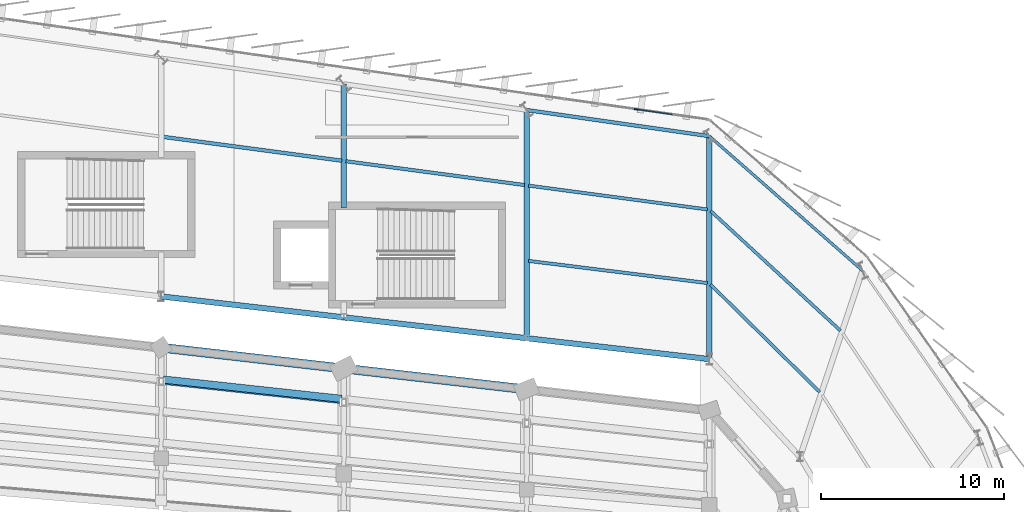
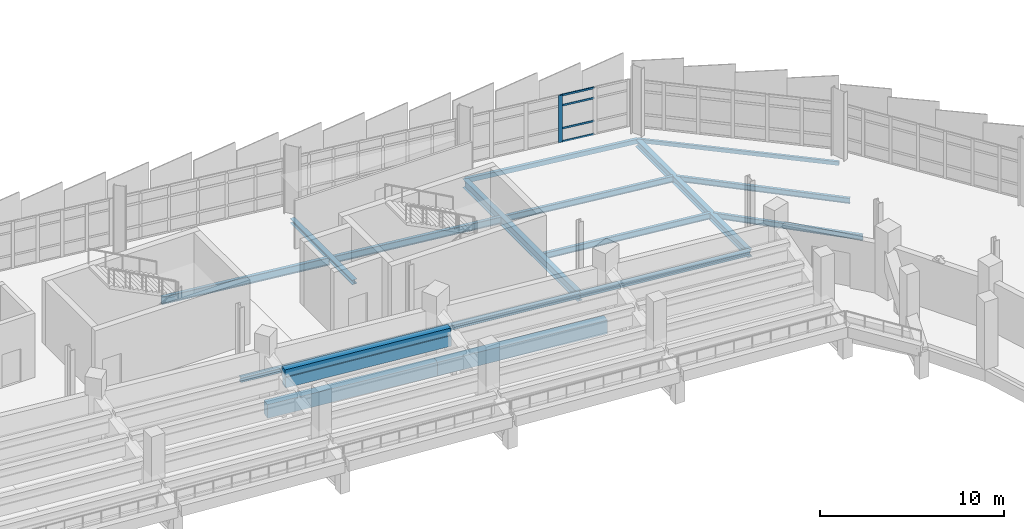
# One storey, part 69 of 120: 18 beams, 5 members, 1 element without a shape of its own.
"""IFC4 building model written with IfcOpenShell, lengths in metres."""

from ifc_helpers import new_model, si_unit, direction, frame, origin, origin_2d, place, context, subcontext, project, spatial, rectangle, hollow_rectangle, i_section, extrude, material, layer, layer_set, material_profile, profile_set, type_object, element, aggregate, save


model = new_model("IFC4")

# Units and contexts
model_context = context("Model", 3, precision=1e-05, world=origin(), true_north=direction((0.0, 1.0)))
body_context = subcontext(model_context, "Body", "Model", "MODEL_VIEW")
ifc_project = project(units=[si_unit("LENGTHUNIT", "METRE"), si_unit("AREAUNIT", "SQUARE_METRE"), si_unit("VOLUMEUNIT", "CUBIC_METRE"), si_unit("PLANEANGLEUNIT", "RADIAN"), si_unit("MASSUNIT", "GRAM", prefix="KILO")], contexts=[model_context])

# Site, building, storey
site_placement = place(None, origin())
site = spatial("IfcSite", under=ifc_project, at=site_placement, CompositionType="ELEMENT")
building_placement = place(site_placement, origin())
building = spatial("IfcBuilding", under=site, at=building_placement, Name="Sohan Crest Arena", CompositionType="ELEMENT")
storey_placement = place(building_placement, frame((0.0, 0.0, 13.5)))
storey = spatial("IfcBuildingStorey", under=building, at=storey_placement, Name="L03", CompositionType="ELEMENT", Elevation=13.5)

# Curtain wall, members
ifc_material_1 = material(Name="Thermally broken anodised aluminium", Category="aluminium")
ifc_layer = layer(ifc_material_1, 0.239990234375, Name="Thermally broken anodised aluminium")
ifc_layer_set = layer_set([ifc_layer], Name="Thermally broken anodised aluminium")
curtain_wall_type = type_object("IfcCurtainWallType", Name="ARC-CW04", PredefinedType="NOTDEFINED", material=ifc_layer_set)
curtain_wall_placement = place(storey_placement, origin())
curtain_wall = element("IfcCurtainWall", 1, at=curtain_wall_placement, inside=storey, type_object=curtain_wall_type, Name="Unitised curtain wall CW-105", PredefinedType="NOTDEFINED")
ifc_material_profile_1 = material_profile(ifc_material_1, rectangle(XDim=0.074951171875, YDim=0.219970703125, at=origin_2d()), Name="ALU-MULL 75x220")
ifc_profile_set_1 = profile_set([ifc_material_profile_1], Name="Thermally broken anodised aluminium")
member_type_1 = type_object("IfcMemberType", Name="ARC-CW-ML04", PredefinedType="MULLION", material=ifc_profile_set_1)
member_1_placement = place(storey_placement, frame((164.0, 117.4716796875, 0.0), z_axis=(0.0, 0.0, 1.0), x_axis=(-0.141462933734, -0.989943553128, 0.0)))
member_1 = element("IfcMember", 2, at=member_1_placement, type_object=member_type_1, Name="CW-105 mullion 3", PredefinedType="MULLION", context=body_context, shape_type="SweptSolid", body=[
    extrude(rectangle(XDim=0.074951171875, YDim=0.219970703125, at=origin_2d()), origin(), (0.0, 0.0, 1.0), 3.1201171875),
])
ifc_material_profile_2 = material_profile(ifc_material_1, rectangle(XDim=0.06005859375, YDim=0.1201171875, at=origin_2d()), Name="ALU-TRAN 60x120")
ifc_profile_set_2 = profile_set([ifc_material_profile_2], Name="Thermally broken anodised aluminium")
member_type_2 = type_object("IfcMemberType", Name="ARC-CW-TR01", PredefinedType="USERDEFINED", material=ifc_profile_set_2)
member_2_placement = place(storey_placement, frame((165.962890625, 117.191162109375, 0.030029296875), z_axis=(-0.989946983498, 0.141438926268, 0.0), x_axis=(-0.141438926268, -0.989946983498, 0.0)))
member_2 = element("IfcMember", 3, at=member_2_placement, type_object=member_type_2, Name="CW-105 transom 2.1", ObjectType="TRANSOM", PredefinedType="USERDEFINED", context=body_context, shape_type="SweptSolid", body=[
    extrude(rectangle(XDim=0.06005859375, YDim=0.1201171875, at=origin_2d()), origin(), (0.0, 0.0, 1.0), 1.9453125),
])
member_3_placement = place(storey_placement, frame((165.962890625, 117.191162109375, 0.89990234375), z_axis=(-0.989946983498, 0.141438926268, 0.0), x_axis=(-0.141438926268, -0.989946983498, 0.0)))
member_3 = element("IfcMember", 4, at=member_3_placement, type_object=member_type_2, Name="CW-105 transom 2.2", ObjectType="TRANSOM", PredefinedType="USERDEFINED", context=body_context, shape_type="SweptSolid", body=[
    extrude(rectangle(XDim=0.06005859375, YDim=0.1201171875, at=origin_2d()), origin(), (0.0, 0.0, 1.0), 1.9453125),
])
member_4_placement = place(storey_placement, frame((165.962890625, 117.191162109375, 2.419921875), z_axis=(-0.989946983498, 0.141438926268, 0.0), x_axis=(-0.141438926268, -0.989946983498, 0.0)))
member_4 = element("IfcMember", 5, at=member_4_placement, type_object=member_type_2, Name="CW-105 transom 2.3", ObjectType="TRANSOM", PredefinedType="USERDEFINED", context=body_context, shape_type="SweptSolid", body=[
    extrude(rectangle(XDim=0.06005859375, YDim=0.1201171875, at=origin_2d()), origin(), (0.0, 0.0, 1.0), 1.9453125),
])
member_5_placement = place(storey_placement, frame((165.962890625, 117.191162109375, 3.090087890625), z_axis=(-0.989946983498, 0.141438926268, 0.0), x_axis=(-0.141438926268, -0.989946983498, 0.0)))
member_5 = element("IfcMember", 6, at=member_5_placement, type_object=member_type_2, Name="CW-105 transom 2.4", ObjectType="TRANSOM", PredefinedType="USERDEFINED", context=body_context, shape_type="SweptSolid", body=[
    extrude(rectangle(XDim=0.06005859375, YDim=0.1201171875, at=origin_2d()), origin(), (0.0, 0.0, 1.0), 1.9453125),
])
aggregate(curtain_wall, [member_1, member_2, member_3, member_4, member_5])

# Beams
ifc_material_2 = material(Name="Steel S355", Category="steel")
ifc_material_profile_3 = material_profile(ifc_material_2, i_section(OverallWidth=0.169921875, OverallDepth=0.360107421875, WebThickness=0.008056640625, FlangeThickness=0.0126953125, at=origin_2d()), Name="IPE 360")
ifc_profile_set_3 = profile_set([ifc_material_profile_3], Name="Steel S355")
beam_type_1 = type_object("IfcBeamType", Name="STR-BM-B02", PredefinedType="JOIST", material=ifc_profile_set_3)
beam_1_placement = place(storey_placement, frame((174.0458984375, 101.9951171875, -0.429931640625), z_axis=(-0.712580271708, 0.701590590283, 0.0), x_axis=(-0.701590590283, -0.712580271708, 0.0)))
element("IfcBeam", 7, at=beam_1_placement, inside=storey, type_object=beam_type_1, Name="Structural beam J-L03-1518", PredefinedType="JOIST", context=body_context, shape_type="SweptSolid", body=[
    extrude(i_section(OverallWidth=0.169921875, OverallDepth=0.360107421875, WebThickness=0.008056640625, FlangeThickness=0.0126953125, at=origin_2d()), origin(), (0.0, 0.0, 1.0), 8.375244140625),
])
beam_2_placement = place(storey_placement, frame((175.173095703125, 105.35693359375, -0.429931640625), z_axis=(-0.735036224245, 0.678027837959, 0.0), x_axis=(-0.678027837959, -0.735036224245, 0.0)))
element("IfcBeam", 8, at=beam_2_placement, inside=storey, type_object=beam_type_1, Name="Structural beam J-L03-1519", PredefinedType="JOIST", context=body_context, shape_type="SweptSolid", body=[
    extrude(i_section(OverallWidth=0.169921875, OverallDepth=0.360107421875, WebThickness=0.008056640625, FlangeThickness=0.0126953125, at=origin_2d()), origin(), (0.0, 0.0, 1.0), 9.648681640625),
])
ifc_material_profile_4 = material_profile(ifc_material_2, i_section(OverallWidth=0.179931640625, OverallDepth=0.39990234375, WebThickness=0.008544921875, FlangeThickness=0.013427734375, at=origin_2d()), Name="IPE 400")
ifc_profile_set_4 = profile_set([ifc_material_profile_4], Name="Steel S355")
beam_type_2 = type_object("IfcBeamType", Name="STR-BM-B03", PredefinedType="JOIST", material=ifc_profile_set_4)
beam_3_placement = place(storey_placement, frame((167.89111328125, 107.9619140625, -0.449951171875), z_axis=(-0.992409914467, 0.122973825131, 0.0), x_axis=(-0.122973825131, -0.992409914467, 0.0)))
element("IfcBeam", 9, at=beam_3_placement, inside=storey, type_object=beam_type_2, Name="Structural beam J-L03-1523", PredefinedType="JOIST", context=body_context, shape_type="SweptSolid", body=[
    extrude(i_section(OverallWidth=0.179931640625, OverallDepth=0.39990234375, WebThickness=0.008544921875, FlangeThickness=0.013427734375, at=origin_2d()), origin(), (0.0, 0.0, 1.0), 9.85693359375),
])
beam_4_placement = place(storey_placement, frame((167.89111328125, 111.989013671875, -0.449951171875), z_axis=(-0.991219472477, 0.132226916252, 0.0), x_axis=(-0.132226916252, -0.991219472477, 0.0)))
element("IfcBeam", 10, at=beam_4_placement, inside=storey, type_object=beam_type_2, Name="Structural beam J-L03-1524", PredefinedType="JOIST", context=body_context, shape_type="SweptSolid", body=[
    extrude(i_section(OverallWidth=0.179931640625, OverallDepth=0.39990234375, WebThickness=0.008544921875, FlangeThickness=0.013427734375, at=origin_2d()), origin(), (0.0, 0.0, 1.0), 9.868896484375),
])
ifc_material_profile_5 = material_profile(ifc_material_2, i_section(OverallWidth=0.18994140625, OverallDepth=0.449951171875, WebThickness=0.009521484375, FlangeThickness=0.0146484375, at=origin_2d()), Name="IPE 450")
ifc_profile_set_5 = profile_set([ifc_material_profile_5], Name="Steel S355")
beam_type_3 = type_object("IfcBeamType", Name="STR-BM-B04", PredefinedType="JOIST", material=ifc_profile_set_5)
beam_5_placement = place(storey_placement, frame((157.89111328125, 113.323974609375, -0.47509765625), z_axis=(-0.991232437337, 0.132129690721, 0.0), x_axis=(-0.132129690721, -0.991232437337, 0.0)))
element("IfcBeam", 11, at=beam_5_placement, inside=storey, type_object=beam_type_3, Name="Structural beam J-L03-1528", PredefinedType="JOIST", context=body_context, shape_type="SweptSolid", body=[
    extrude(i_section(OverallWidth=0.18994140625, OverallDepth=0.449951171875, WebThickness=0.009521484375, FlangeThickness=0.0146484375, at=origin_2d()), origin(), (0.0, 0.0, 1.0), 9.86865234375),
])
ifc_material_profile_6 = material_profile(ifc_material_2, i_section(OverallWidth=0.199951171875, OverallDepth=0.5, WebThickness=0.01025390625, FlangeThickness=0.01611328125, at=origin_2d()), Name="IPE 500")
ifc_profile_set_6 = profile_set([ifc_material_profile_6], Name="Steel S355")
beam_type_4 = type_object("IfcBeamType", Name="STR-BM-B05", PredefinedType="JOIST", material=ifc_profile_set_6)
beam_6_placement = place(storey_placement, frame((147.89111328125, 114.657958984375, -0.5), z_axis=(-0.991232437337, 0.132129690721, 0.0), x_axis=(-0.132129690721, -0.991232437337, 0.0)))
element("IfcBeam", 12, at=beam_6_placement, inside=storey, type_object=beam_type_4, Name="Structural beam J-L03-1533", PredefinedType="JOIST", context=body_context, shape_type="SweptSolid", body=[
    extrude(i_section(OverallWidth=0.199951171875, OverallDepth=0.5, WebThickness=0.01025390625, FlangeThickness=0.01611328125, at=origin_2d()), origin(), (0.0, 0.0, 1.0), 9.86865234375),
])
ifc_material_profile_7 = material_profile(ifc_material_2, i_section(OverallWidth=0.300048828125, OverallDepth=0.590087890625, WebThickness=0.012939453125, FlangeThickness=0.02490234375, at=origin_2d()), Name="HEA 600")
ifc_profile_set_7 = profile_set([ifc_material_profile_7], Name="Steel S355")
beam_type_5 = type_object("IfcBeamType", Name="STR-BM-B11", PredefinedType="BEAM", material=ifc_profile_set_7)
beam_7_placement = place(storey_placement, frame((158.0, 104.943115234375, -0.544921875), z_axis=(0.0, 1.0, 0.0), x_axis=(-1.0, 0.0, 0.0)))
element("IfcBeam", 13, at=beam_7_placement, inside=storey, type_object=beam_type_5, Name="Structural beam G-L03-1525", PredefinedType="BEAM", context=body_context, shape_type="SweptSolid", body=[
    extrude(i_section(OverallWidth=0.300048828125, OverallDepth=0.590087890625, WebThickness=0.012939453125, FlangeThickness=0.02490234375, at=origin_2d()), origin(), (0.0, 0.0, 1.0), 12.48583984375),
])
ifc_material_profile_8 = material_profile(ifc_material_2, i_section(OverallWidth=0.300048828125, OverallDepth=0.300048828125, WebThickness=0.010986328125, FlangeThickness=0.01904296875, at=origin_2d()), Name="HEB 300")
ifc_profile_set_8 = profile_set([ifc_material_profile_8], Name="Steel S355")
beam_type_6 = type_object("IfcBeamType", Name="STR-BM-B12", PredefinedType="BEAM", material=ifc_profile_set_8)
for number, where, z_axis, x_axis, name in (
    (14, (168.0, 103.800048828125, -0.39990234375), (-0.99353032697, 0.113567114035, 0.0), (-0.113567114035, -0.99353032697, 0.0), "Structural beam G-L03-1521"),
    (15, (158.0, 104.943115234375, -0.39990234375), (-0.993533063564, 0.113543170668, 0.0), (-0.113543170668, -0.993533063564, 0.0), "Structural beam G-L03-1526"),
):
    element("IfcBeam", number, at=place(storey_placement, frame(where, z_axis=z_axis, x_axis=x_axis)), inside=storey, type_object=beam_type_6, Name=name, PredefinedType="BEAM", context=body_context, shape_type="SweptSolid", body=[
        extrude(i_section(OverallWidth=0.300048828125, OverallDepth=0.300048828125, WebThickness=0.010986328125, FlangeThickness=0.01904296875, at=origin_2d()), origin(), (0.0, 0.0, 1.0), 10.065185546875),
    ])
beam_8_placement = place(storey_placement, frame((148.0, 112.080078125, -0.39990234375), z_axis=(0.0, 1.0, 0.0), x_axis=(-1.0, 0.0, 0.0)))
element("IfcBeam", 16, at=beam_8_placement, inside=storey, type_object=beam_type_6, Name="Structural beam G-L03-1530", PredefinedType="BEAM", context=body_context, shape_type="SweptSolid", body=[
    extrude(i_section(OverallWidth=0.300048828125, OverallDepth=0.300048828125, WebThickness=0.010986328125, FlangeThickness=0.01904296875, at=origin_2d()), origin(), (0.0, 0.0, 1.0), 6.77685546875),
])
beam_9_placement = place(storey_placement, frame((148.0, 106.0859375, -0.39990234375), z_axis=(-0.99353032697, 0.113567114035, 0.0), x_axis=(-0.113567114035, -0.99353032697, 0.0)))
element("IfcBeam", 17, at=beam_9_placement, inside=storey, type_object=beam_type_6, Name="Structural beam G-L03-1531", PredefinedType="BEAM", context=body_context, shape_type="SweptSolid", body=[
    extrude(i_section(OverallWidth=0.300048828125, OverallDepth=0.300048828125, WebThickness=0.010986328125, FlangeThickness=0.01904296875, at=origin_2d()), origin(), (0.0, 0.0, 1.0), 10.065185546875),
])
ifc_material_profile_9 = material_profile(ifc_material_2, i_section(OverallWidth=0.300048828125, OverallDepth=0.5, WebThickness=0.014404296875, FlangeThickness=0.028076171875, at=origin_2d()), Name="HEB 500")
ifc_profile_set_9 = profile_set([ifc_material_profile_9], Name="Steel S355")
beam_type_7 = type_object("IfcBeamType", Name="STR-BM-B14", PredefinedType="BEAM", material=ifc_profile_set_9)
beam_10_placement = place(storey_placement, frame((168.0, 103.800048828125, -0.5), z_axis=(0.0, 1.0, 0.0), x_axis=(-1.0, 0.0, 0.0)))
element("IfcBeam", 18, at=beam_10_placement, inside=storey, type_object=beam_type_7, Name="Structural beam G-L03-1520", PredefinedType="BEAM", context=body_context, shape_type="SweptSolid", body=[
    extrude(i_section(OverallWidth=0.300048828125, OverallDepth=0.5, WebThickness=0.014404296875, FlangeThickness=0.028076171875, at=origin_2d()), origin(), (0.0, 0.0, 1.0), 12.199951171875),
])
ifc_material_profile_10 = material_profile(ifc_material_2, hollow_rectangle(XDim=0.14990234375, YDim=0.25, WallThickness=0.010009765625, at=origin_2d()), Name="RHS 250x150x10")
ifc_profile_set_10 = profile_set([ifc_material_profile_10], Name="Steel S355")
beam_type_8 = type_object("IfcBeamType", Name="STR-BM-SP02", PredefinedType="SPANDREL", material=ifc_profile_set_10)
beam_11_placement = place(storey_placement, frame((176.383056640625, 108.64501953125, -0.375), z_axis=(-0.751695897988, 0.659509876308, 0.0), x_axis=(-0.659509876308, -0.751695897988, 0.0)))
element("IfcBeam", 19, at=beam_11_placement, inside=storey, type_object=beam_type_8, Name="Structural beam SP-L03-1517", PredefinedType="SPANDREL", context=body_context, shape_type="SweptSolid", body=[
    extrude(hollow_rectangle(XDim=0.14990234375, YDim=0.25, WallThickness=0.010009765625, at=origin_2d()), origin(), (0.0, 0.0, 1.0), 11.152099609375),
])
ifc_material_profile_11 = material_profile(ifc_material_2, hollow_rectangle(XDim=0.199951171875, YDim=0.300048828125, WallThickness=0.010009765625, at=origin_2d()), Name="RHS 300x200x10")
ifc_profile_set_11 = profile_set([ifc_material_profile_11], Name="Steel S355")
beam_type_9 = type_object("IfcBeamType", Name="STR-BM-SP03", PredefinedType="SPANDREL", material=ifc_profile_set_11)
beam_12_placement = place(storey_placement, frame((168.0, 116.0, -0.39990234375), z_axis=(-0.989944175879, 0.141458575718, 0.0), x_axis=(-0.141458575718, -0.989944175879, 0.0)))
element("IfcBeam", 20, at=beam_12_placement, inside=storey, type_object=beam_type_9, Name="Structural beam SP-L03-1522", PredefinedType="SPANDREL", context=body_context, shape_type="SweptSolid", body=[
    extrude(hollow_rectangle(XDim=0.199951171875, YDim=0.300048828125, WallThickness=0.010009765625, at=origin_2d()), origin(), (0.0, 0.0, 1.0), 10.1015625),
])
ifc_material_3 = material(Name="Concrete C40/50", Category="concrete")
ifc_material_profile_12 = material_profile(ifc_material_3, rectangle(XDim=0.39990234375, YDim=0.699951171875, at=origin_2d()), Name="RC-BM 400x700")
ifc_profile_set_12 = profile_set([ifc_material_profile_12], Name="Concrete C40/50")
beam_type_10 = type_object("IfcBeamType", Name="STR-BM-TB01", PredefinedType="BEAM", material=ifc_profile_set_12)
beam_13_placement = place(storey_placement, frame((147.89111328125, 101.556884765625, 2.236083984375), z_axis=(-0.994190266823, 0.107636951619, 0.0), x_axis=(-0.107636951619, -0.994190266823, 0.0)))
element("IfcBeam", 21, at=beam_13_placement, inside=storey, type_object=beam_type_10, Name="Upper tier rear stringer TSB-U224B", PredefinedType="BEAM", context=body_context, shape_type="SweptSolid", body=[
    extrude(rectangle(XDim=0.39990234375, YDim=0.699951171875, at=origin_2d()), origin(), (0.0, 0.0, 1.0), 9.83935546875),
])
beam_14_placement = place(storey_placement, frame((147.89111328125, 101.6240234375, 2.696044921875), z_axis=(-0.99416900605, 0.107833146159, 0.0), x_axis=(-0.107833146159, -0.99416900605, 0.0)))
element("IfcBeam", 22, at=beam_14_placement, inside=storey, type_object=beam_type_10, Name="Upper tier front stringer TSB-U225A", PredefinedType="BEAM", context=body_context, shape_type="SweptSolid", body=[
    extrude(rectangle(XDim=0.39990234375, YDim=0.699951171875, at=origin_2d()), origin(), (0.0, 0.0, 1.0), 9.839599609375),
])
ifc_material_profile_13 = material_profile(ifc_material_3, rectangle(XDim=0.5, YDim=0.89990234375, at=origin_2d()), Name="RC-BM 500x900")
ifc_profile_set_13 = profile_set([ifc_material_profile_13], Name="Concrete C40/50")
beam_type_11 = type_object("IfcBeamType", Name="STR-BM-TB03", PredefinedType="BEAM", material=ifc_profile_set_13)
for number, where, z_axis, x_axis, name in (
    (23, (158.0, 102.14306640625, -0.699951171875), (-0.993533063564, 0.113543170668, 0.0), (-0.113543170668, -0.993533063564, 0.0), "Structural beam TB-L03-0697"),
    (24, (148.0, 103.285888671875, -0.699951171875), (-0.99353032697, 0.113567114035, 0.0), (-0.113567114035, -0.99353032697, 0.0), "Structural beam TB-L03-0719"),
):
    element("IfcBeam", number, at=place(storey_placement, frame(where, z_axis=z_axis, x_axis=x_axis)), inside=storey, type_object=beam_type_11, Name=name, PredefinedType="BEAM", context=body_context, shape_type="SweptSolid", body=[
        extrude(rectangle(XDim=0.5, YDim=0.89990234375, at=origin_2d()), origin(), (0.0, 0.0, 1.0), 10.065185546875),
    ])

save(model, "model.ifc")
